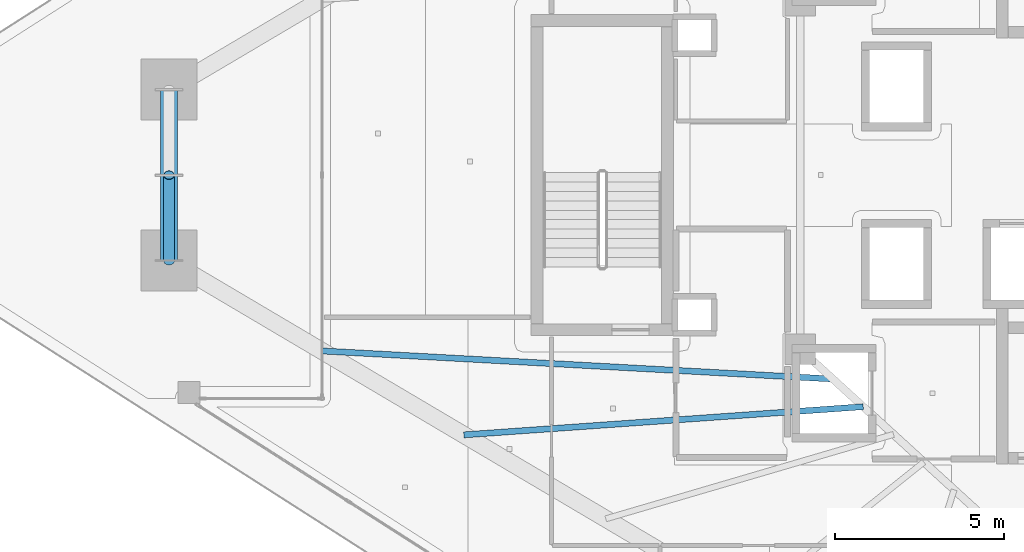
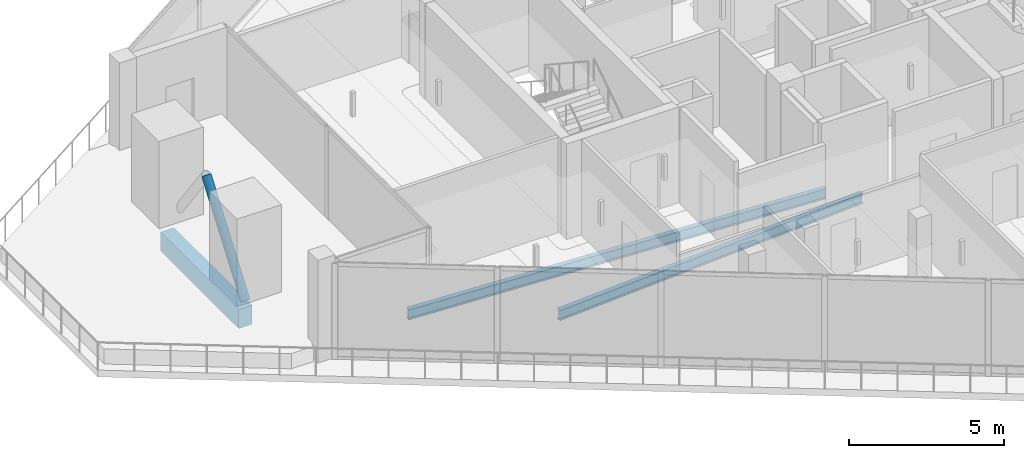
# One storey, part 7 of 36: 3 beams, 1 member.
"""IFC4 building model written with IfcOpenShell, lengths in metres."""

from ifc_helpers import new_model, si_unit, direction, frame, origin, origin_2d, place, context, subcontext, project, spatial, rectangle, hollow_circle, i_section, extrude, material, material_profile, profile_set, type_object, element, save


model = new_model("IFC4")

# Units and contexts
model_context = context("Model", 3, precision=1e-05, world=origin(), true_north=direction((0.0, 1.0)))
body_context = subcontext(model_context, "Body", "Model", "MODEL_VIEW")
ifc_project = project(units=[si_unit("LENGTHUNIT", "METRE"), si_unit("AREAUNIT", "SQUARE_METRE"), si_unit("VOLUMEUNIT", "CUBIC_METRE"), si_unit("PLANEANGLEUNIT", "RADIAN"), si_unit("MASSUNIT", "GRAM", prefix="KILO")], contexts=[model_context])

# Site, building, storey
site_placement = place(None, origin())
site = spatial("IfcSite", under=ifc_project, at=site_placement, CompositionType="ELEMENT")
building_placement = place(site_placement, origin())
building = spatial("IfcBuilding", under=site, at=building_placement, Name="Qorvath Tower", CompositionType="ELEMENT")
storey_placement = place(building_placement, frame((0.0, 0.0, 229.35009765625)))
storey = spatial("IfcBuildingStorey", under=building, at=storey_placement, Name="L53", CompositionType="ELEMENT", Elevation=229.35009765625)

# Beams
ifc_material_1 = material(Name="Steel ASTM A992 Grade 50", Category="steel")
ifc_material_profile_1 = material_profile(ifc_material_1, i_section(OverallWidth=0.177978515625, OverallDepth=0.406005859375, WebThickness=0.0078125, FlangeThickness=0.0126953125, FilletRadius=0.010986328125, at=origin_2d()), Name="W16x40")
ifc_profile_set_1 = profile_set([ifc_material_profile_1], Name="Steel ASTM A992 Grade 50")
beam_type_1 = type_object("IfcBeamType", Name="BM-FJ3", PredefinedType="JOIST", material=ifc_profile_set_1)
beam_1_placement = place(storey_placement, frame((-29.533935546875, -6.031982421875, -0.472900390625), z_axis=(-0.998494745044, 0.054847462293, 0.0), x_axis=(-0.054847462293, -0.998494745044, 0.0)))
element("IfcBeam", 1, at=beam_1_placement, inside=storey, type_object=beam_type_1, Name="Composite Floor Joist SW1 L53", PredefinedType="JOIST", context=body_context, shape_type="SweptSolid", body=[
    extrude(i_section(OverallWidth=0.177978515625, OverallDepth=0.406005859375, WebThickness=0.0078125, FlangeThickness=0.0126953125, FilletRadius=0.010986328125, at=origin_2d()), origin(), (0.0, 0.0, 1.0), 15.138671875),
])
beam_2_placement = place(storey_placement, frame((-28.636962890625, -6.85107421875, -0.472900390625), z_axis=(-0.997520476731, -0.070376832146, 0.0), x_axis=(0.070376832146, -0.997520476731, 0.0)))
element("IfcBeam", 2, at=beam_2_placement, inside=storey, type_object=beam_type_1, Name="Composite Floor Joist SW2 L53", PredefinedType="JOIST", context=body_context, shape_type="SweptSolid", body=[
    extrude(i_section(OverallWidth=0.177978515625, OverallDepth=0.406005859375, WebThickness=0.0078125, FlangeThickness=0.0126953125, FilletRadius=0.010986328125, at=origin_2d()), origin(), (0.0, 0.0, 1.0), 11.84326171875),
])
ifc_material_2 = material(Name="Concrete C45/55", Category="concrete")
ifc_material_profile_2 = material_profile(ifc_material_2, rectangle(XDim=0.5, YDim=0.75, at=origin_2d()), Name="RCB 750x500")
ifc_profile_set_2 = profile_set([ifc_material_profile_2], Name="Concrete C45/55")
beam_type_2 = type_object("IfcBeamType", Name="BM-RCB3", PredefinedType="SPANDREL", material=ifc_profile_set_2)
beam_3_placement = place(storey_placement, frame((-49.171875, 2.52783203125, -0.64501953125), z_axis=(0.0, -1.0, 0.0), x_axis=(1.0, 0.0, 0.0)))
element("IfcBeam", 3, at=beam_3_placement, inside=storey, type_object=beam_type_2, Name="Perimeter Loggia Frame Beam MC1-MC2 L53", PredefinedType="SPANDREL", context=body_context, shape_type="SweptSolid", body=[
    extrude(rectangle(XDim=0.5, YDim=0.75, at=origin_2d()), origin(), (0.0, 0.0, 1.0), 5.0556640625),
])

# Member
ifc_material_3 = material(Name="Steel ASTM A500 Grade C", Category="steel")
ifc_material_profile_3 = material_profile(ifc_material_3, hollow_circle(Radius=0.161865234375, WallThickness=0.0126953125, at=origin_2d()), Name="CHS 324x12.7")
ifc_profile_set_3 = profile_set([ifc_material_profile_3], Name="Steel ASTM A500 Grade C")
member_type = type_object("IfcMemberType", Name="MEM-ST1", PredefinedType="STRUT", material=ifc_profile_set_3)
member_placement = place(storey_placement, frame((-49.171875, -2.52783203125, 0.0), z_axis=(0.0, 0.593304583795, 0.804978056128), x_axis=(-1.0, 0.0, 0.0)))
element("IfcMember", 4, at=member_placement, inside=storey, type_object=member_type, Name="Sky Garden Corner Strut L53-B", PredefinedType="STRUT", context=body_context, shape_type="SweptSolid", body=[
    extrude(hollow_circle(Radius=0.161865234375, WallThickness=0.0126953125, at=origin_2d()), origin(), (0.0, 0.0, 1.0), 4.260498046875),
])

save(model, "model.ifc")
